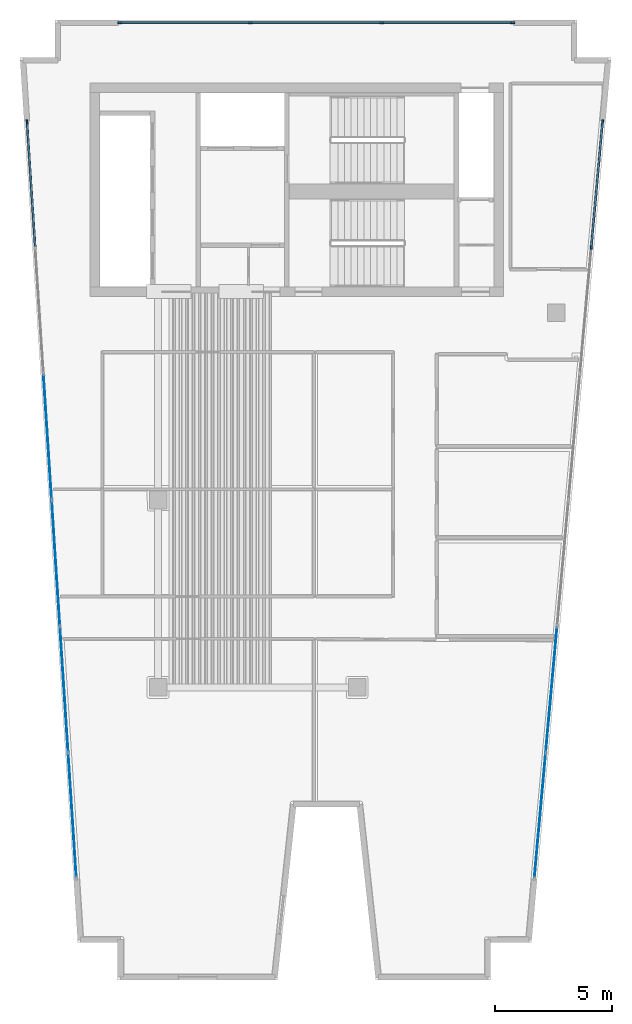
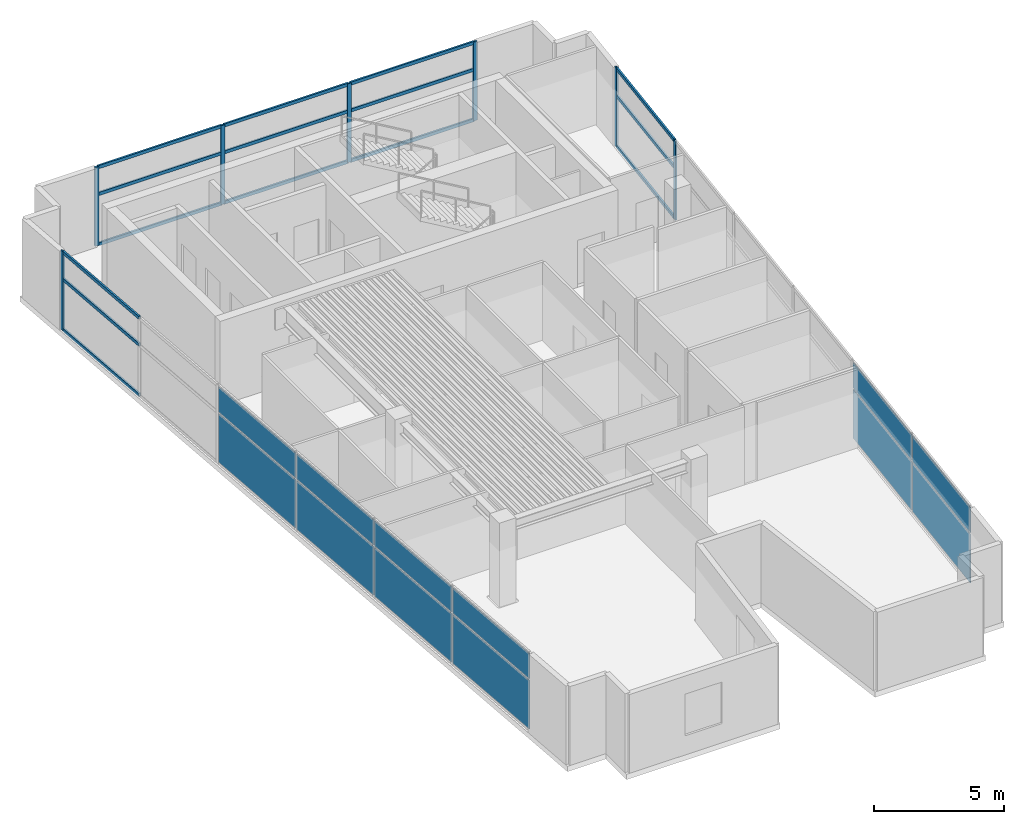
# One storey, part 2 of 7: 22 members, 12 plates, 3 elements without a shape of their own.
"""IFC4 building model written with IfcOpenShell, lengths in metres."""

from ifc_helpers import new_model, si_unit, direction, frame, origin, origin_2d, place, context, subcontext, project, spatial, rectangle, extrude, material, layer, layer_set, material_profile, profile_set, type_object, element, aggregate, save


model = new_model("IFC4")

# Units and contexts
model_context = context("Model", 3, precision=1e-05, world=origin(), true_north=direction((0.0, 1.0)))
body_context = subcontext(model_context, "Body", "Model", "MODEL_VIEW")
ifc_project = project(units=[si_unit("LENGTHUNIT", "METRE"), si_unit("AREAUNIT", "SQUARE_METRE"), si_unit("VOLUMEUNIT", "CUBIC_METRE"), si_unit("PLANEANGLEUNIT", "RADIAN"), si_unit("MASSUNIT", "GRAM", prefix="KILO")], contexts=[model_context])

# Site, building, storey
site_placement = place(None, origin())
site = spatial("IfcSite", under=ifc_project, at=site_placement, CompositionType="ELEMENT")
building_placement = place(site_placement, origin())
building = spatial("IfcBuilding", under=site, at=building_placement, Name="Caeloran Harvest Quay", CompositionType="ELEMENT")
storey_placement = place(building_placement, frame((0.0, 0.0, 315.949951171875)))
storey = spatial("IfcBuildingStorey", under=building, at=storey_placement, Name="L76", CompositionType="ELEMENT", Elevation=315.949951171875)

# Curtain wall, member
ifc_material_1 = material(Name="Aluminium 6063-T6 and Low-E Glazing", Category="aluminium")
ifc_layer_1 = layer(ifc_material_1, 0.239990234375, Name="Aluminium 6063-T6 and Low-E Glazing")
ifc_layer_set_1 = layer_set([ifc_layer_1], Name="Aluminium 6063-T6 and Low-E Glazing")
curtain_wall_type = type_object("IfcCurtainWallType", Name="CW-SYS-CW-7", PredefinedType="USERDEFINED", material=ifc_layer_set_1)
curtain_wall_1_placement = place(storey_placement, origin())
curtain_wall_1 = element("IfcCurtainWall", 1, at=curtain_wall_1_placement, inside=storey, type_object=curtain_wall_type, Name="L76 Unitised Curtain Wall CW-7 Run 3", ObjectType="CURTAIN_WALL", PredefinedType="USERDEFINED")
ifc_material_2 = material(Name="Aluminium 6063-T6", Category="aluminium")
ifc_material_profile_1 = material_profile(ifc_material_2, rectangle(XDim=0.080078125, YDim=0.179931640625, at=origin_2d()), Name="CW-MULLION-180")
ifc_profile_set_1 = profile_set([ifc_material_profile_1], Name="Aluminium 6063-T6")
member_type_1 = type_object("IfcMemberType", Name="CW-MULLION-180", PredefinedType="MULLION", material=ifc_profile_set_1)
member_1_placement = place(storey_placement, frame((2.904541015625, 39.1455078125, 0.0), z_axis=(0.0, 0.0, 1.0), x_axis=(-0.997874401106, -0.065166552901, 0.0)))
member_1 = element("IfcMember", 2, at=member_1_placement, type_object=member_type_1, Name="CW-7 mullion 7", PredefinedType="MULLION", context=body_context, shape_type="SweptSolid", body=[
    extrude(rectangle(XDim=0.080078125, YDim=0.179931640625, at=origin_2d()), origin(), (0.0, 0.0, 1.0), 3.699951171875),
])

# Curtain wall, members
curtain_wall_2_placement = place(storey_placement, origin())
curtain_wall_2 = element("IfcCurtainWall", 3, at=curtain_wall_2_placement, inside=storey, type_object=curtain_wall_type, Name="L76 Unitised Curtain Wall CW-7 Run 6", ObjectType="CURTAIN_WALL", PredefinedType="USERDEFINED")
member_2_placement = place(storey_placement, frame((6.860107421875, 43.3798828125, 0.0), z_axis=(0.0, 0.0, 1.0), x_axis=(0.0, 1.0, 0.0)))
member_2 = element("IfcMember", 4, at=member_2_placement, type_object=member_type_1, Name="CW-7 mullion 1", PredefinedType="MULLION", context=body_context, shape_type="SweptSolid", body=[
    extrude(rectangle(XDim=0.080078125, YDim=0.179931640625, at=origin_2d()), origin(), (0.0, 0.0, 1.0), 3.699951171875),
])
member_3_placement = place(storey_placement, frame((12.43994140625, 43.3798828125, 0.0), z_axis=(0.0, 0.0, 1.0), x_axis=(0.0, 1.0, 0.0)))
member_3 = element("IfcMember", 5, at=member_3_placement, type_object=member_type_1, Name="CW-7 mullion 2", PredefinedType="MULLION", context=body_context, shape_type="SweptSolid", body=[
    extrude(rectangle(XDim=0.080078125, YDim=0.179931640625, at=origin_2d()), origin(), (0.0, 0.0, 1.0), 3.699951171875),
])
member_4_placement = place(storey_placement, frame((18.06005859375, 43.3798828125, 0.0), z_axis=(0.0, 0.0, 1.0), x_axis=(0.0, 1.0, 0.0)))
member_4 = element("IfcMember", 6, at=member_4_placement, type_object=member_type_1, Name="CW-7 mullion 3", PredefinedType="MULLION", context=body_context, shape_type="SweptSolid", body=[
    extrude(rectangle(XDim=0.080078125, YDim=0.179931640625, at=origin_2d()), origin(), (0.0, 0.0, 1.0), 3.699951171875),
])
member_5_placement = place(storey_placement, frame((23.639892578125, 43.3798828125, 0.0), z_axis=(0.0, 0.0, 1.0), x_axis=(0.0, 1.0, 0.0)))
member_5 = element("IfcMember", 7, at=member_5_placement, type_object=member_type_1, Name="CW-7 mullion 4", PredefinedType="MULLION", context=body_context, shape_type="SweptSolid", body=[
    extrude(rectangle(XDim=0.080078125, YDim=0.179931640625, at=origin_2d()), origin(), (0.0, 0.0, 1.0), 3.699951171875),
])

curtain_wall_3_placement = place(storey_placement, origin())
curtain_wall_3 = element("IfcCurtainWall", 8, at=curtain_wall_3_placement, inside=storey, type_object=curtain_wall_type, Name="L76 Unitised Curtain Wall CW-7 Run 9", ObjectType="CURTAIN_WALL", PredefinedType="USERDEFINED")
member_6_placement = place(storey_placement, frame((27.4873046875, 39.150634765625, 0.0), z_axis=(0.0, 0.0, 1.0), x_axis=(0.995957918918, -0.089821065146, 0.0)))
member_6 = element("IfcMember", 9, at=member_6_placement, type_object=member_type_1, Name="CW-7 mullion 1", PredefinedType="MULLION", context=body_context, shape_type="SweptSolid", body=[
    extrude(rectangle(XDim=0.080078125, YDim=0.179931640625, at=origin_2d()), origin(), (0.0, 0.0, 1.0), 3.699951171875),
])
member_7_placement = place(storey_placement, frame((27.004150390625, 33.793701171875, 0.0), z_axis=(0.0, 0.0, 1.0), x_axis=(0.995957918918, -0.089821065146, 0.0)))
member_7 = element("IfcMember", 10, at=member_7_placement, type_object=member_type_1, Name="CW-7 mullion 2", PredefinedType="MULLION", context=body_context, shape_type="SweptSolid", body=[
    extrude(rectangle(XDim=0.080078125, YDim=0.179931640625, at=origin_2d()), origin(), (0.0, 0.0, 1.0), 3.699951171875),
])

# Member
ifc_material_profile_2 = material_profile(ifc_material_2, rectangle(XDim=0.080078125, YDim=0.14990234375, at=origin_2d()), Name="CW-TRANSOM-150")
ifc_profile_set_2 = profile_set([ifc_material_profile_2], Name="Aluminium 6063-T6")
member_type_2 = type_object("IfcMemberType", Name="CW-TRANSOM-150", PredefinedType="USERDEFINED", material=ifc_profile_set_2)
member_8_placement = place(storey_placement, frame((3.251708984375, 33.830322265625, 0.0400390625), z_axis=(-0.065161110765, 0.997874756492, 0.0), x_axis=(-0.997874756492, -0.065161110765, 0.0)))
member_8 = element("IfcMember", 11, at=member_8_placement, type_object=member_type_2, Name="CW-7 transom 6.1", ObjectType="TRANSOM", PredefinedType="USERDEFINED", context=body_context, shape_type="SweptSolid", body=[
    extrude(rectangle(XDim=0.080078125, YDim=0.14990234375, at=origin_2d()), origin(), (0.0, 0.0, 1.0), 5.28662109375),
])

member_9_placement = place(storey_placement, frame((3.251708984375, 33.830322265625, 2.400146484375), z_axis=(-0.065161110765, 0.997874756492, 0.0), x_axis=(-0.997874756492, -0.065161110765, 0.0)))
member_9 = element("IfcMember", 12, at=member_9_placement, type_object=member_type_2, Name="CW-7 transom 6.2", ObjectType="TRANSOM", PredefinedType="USERDEFINED", context=body_context, shape_type="SweptSolid", body=[
    extrude(rectangle(XDim=0.080078125, YDim=0.14990234375, at=origin_2d()), origin(), (0.0, 0.0, 1.0), 5.28662109375),
])

member_10_placement = place(storey_placement, frame((3.251708984375, 33.830322265625, 3.66015625), z_axis=(-0.065161110765, 0.997874756492, 0.0), x_axis=(-0.997874756492, -0.065161110765, 0.0)))
member_10 = element("IfcMember", 13, at=member_10_placement, type_object=member_type_2, Name="CW-7 transom 6.3", ObjectType="TRANSOM", PredefinedType="USERDEFINED", context=body_context, shape_type="SweptSolid", body=[
    extrude(rectangle(XDim=0.080078125, YDim=0.14990234375, at=origin_2d()), origin(), (0.0, 0.0, 1.0), 5.28662109375),
])

member_11_placement = place(storey_placement, frame((6.89990234375, 43.3798828125, 0.0400390625), z_axis=(1.0, 0.0, 0.0), x_axis=(0.0, 1.0, 0.0)))
member_11 = element("IfcMember", 14, at=member_11_placement, type_object=member_type_2, Name="CW-7 transom 1.1", ObjectType="TRANSOM", PredefinedType="USERDEFINED", context=body_context, shape_type="SweptSolid", body=[
    extrude(rectangle(XDim=0.080078125, YDim=0.14990234375, at=origin_2d()), origin(), (0.0, 0.0, 1.0), 5.5),
])

member_12_placement = place(storey_placement, frame((6.89990234375, 43.3798828125, 2.400146484375), z_axis=(1.0, 0.0, 0.0), x_axis=(0.0, 1.0, 0.0)))
member_12 = element("IfcMember", 15, at=member_12_placement, type_object=member_type_2, Name="CW-7 transom 1.2", ObjectType="TRANSOM", PredefinedType="USERDEFINED", context=body_context, shape_type="SweptSolid", body=[
    extrude(rectangle(XDim=0.080078125, YDim=0.14990234375, at=origin_2d()), origin(), (0.0, 0.0, 1.0), 5.5),
])

member_13_placement = place(storey_placement, frame((6.89990234375, 43.3798828125, 3.66015625), z_axis=(1.0, 0.0, 0.0), x_axis=(0.0, 1.0, 0.0)))
member_13 = element("IfcMember", 16, at=member_13_placement, type_object=member_type_2, Name="CW-7 transom 1.3", ObjectType="TRANSOM", PredefinedType="USERDEFINED", context=body_context, shape_type="SweptSolid", body=[
    extrude(rectangle(XDim=0.080078125, YDim=0.14990234375, at=origin_2d()), origin(), (0.0, 0.0, 1.0), 5.5),
])

member_14_placement = place(storey_placement, frame((12.47998046875, 43.3798828125, 0.0400390625), z_axis=(1.0, 0.0, 0.0), x_axis=(0.0, 1.0, 0.0)))
member_14 = element("IfcMember", 17, at=member_14_placement, type_object=member_type_2, Name="CW-7 transom 2.1", ObjectType="TRANSOM", PredefinedType="USERDEFINED", context=body_context, shape_type="SweptSolid", body=[
    extrude(rectangle(XDim=0.080078125, YDim=0.14990234375, at=origin_2d()), origin(), (0.0, 0.0, 1.0), 5.5400390625),
])

member_15_placement = place(storey_placement, frame((12.47998046875, 43.3798828125, 2.400146484375), z_axis=(1.0, 0.0, 0.0), x_axis=(0.0, 1.0, 0.0)))
member_15 = element("IfcMember", 18, at=member_15_placement, type_object=member_type_2, Name="CW-7 transom 2.2", ObjectType="TRANSOM", PredefinedType="USERDEFINED", context=body_context, shape_type="SweptSolid", body=[
    extrude(rectangle(XDim=0.080078125, YDim=0.14990234375, at=origin_2d()), origin(), (0.0, 0.0, 1.0), 5.5400390625),
])

member_16_placement = place(storey_placement, frame((12.47998046875, 43.3798828125, 3.66015625), z_axis=(1.0, 0.0, 0.0), x_axis=(0.0, 1.0, 0.0)))
member_16 = element("IfcMember", 19, at=member_16_placement, type_object=member_type_2, Name="CW-7 transom 2.3", ObjectType="TRANSOM", PredefinedType="USERDEFINED", context=body_context, shape_type="SweptSolid", body=[
    extrude(rectangle(XDim=0.080078125, YDim=0.14990234375, at=origin_2d()), origin(), (0.0, 0.0, 1.0), 5.5400390625),
])

member_17_placement = place(storey_placement, frame((18.10009765625, 43.3798828125, 0.0400390625), z_axis=(1.0, 0.0, 0.0), x_axis=(0.0, 1.0, 0.0)))
member_17 = element("IfcMember", 20, at=member_17_placement, type_object=member_type_2, Name="CW-7 transom 3.1", ObjectType="TRANSOM", PredefinedType="USERDEFINED", context=body_context, shape_type="SweptSolid", body=[
    extrude(rectangle(XDim=0.080078125, YDim=0.14990234375, at=origin_2d()), origin(), (0.0, 0.0, 1.0), 5.5),
])

member_18_placement = place(storey_placement, frame((18.10009765625, 43.3798828125, 2.400146484375), z_axis=(1.0, 0.0, 0.0), x_axis=(0.0, 1.0, 0.0)))
member_18 = element("IfcMember", 21, at=member_18_placement, type_object=member_type_2, Name="CW-7 transom 3.2", ObjectType="TRANSOM", PredefinedType="USERDEFINED", context=body_context, shape_type="SweptSolid", body=[
    extrude(rectangle(XDim=0.080078125, YDim=0.14990234375, at=origin_2d()), origin(), (0.0, 0.0, 1.0), 5.5),
])

member_19_placement = place(storey_placement, frame((18.10009765625, 43.3798828125, 3.66015625), z_axis=(1.0, 0.0, 0.0), x_axis=(0.0, 1.0, 0.0)))
member_19 = element("IfcMember", 22, at=member_19_placement, type_object=member_type_2, Name="CW-7 transom 3.3", ObjectType="TRANSOM", PredefinedType="USERDEFINED", context=body_context, shape_type="SweptSolid", body=[
    extrude(rectangle(XDim=0.080078125, YDim=0.14990234375, at=origin_2d()), origin(), (0.0, 0.0, 1.0), 5.5),
])

aggregate(curtain_wall_2, [member_2, member_3, member_4, member_5, member_11, member_12, member_13, member_14, member_15, member_16, member_17, member_18, member_19])

member_20_placement = place(storey_placement, frame((27.483642578125, 39.11083984375, 0.0400390625), z_axis=(-0.089800407778, -0.995959781699, 0.0), x_axis=(0.995959781699, -0.089800407778, 0.0)))
member_20 = element("IfcMember", 23, at=member_20_placement, type_object=member_type_2, Name="CW-7 transom 1.1", ObjectType="TRANSOM", PredefinedType="USERDEFINED", context=body_context, shape_type="SweptSolid", body=[
    extrude(rectangle(XDim=0.080078125, YDim=0.14990234375, at=origin_2d()), origin(), (0.0, 0.0, 1.0), 5.298828125),
])

member_21_placement = place(storey_placement, frame((27.483642578125, 39.11083984375, 2.400146484375), z_axis=(-0.089800407778, -0.995959781699, 0.0), x_axis=(0.995959781699, -0.089800407778, 0.0)))
member_21 = element("IfcMember", 24, at=member_21_placement, type_object=member_type_2, Name="CW-7 transom 1.2", ObjectType="TRANSOM", PredefinedType="USERDEFINED", context=body_context, shape_type="SweptSolid", body=[
    extrude(rectangle(XDim=0.080078125, YDim=0.14990234375, at=origin_2d()), origin(), (0.0, 0.0, 1.0), 5.298828125),
])

member_22_placement = place(storey_placement, frame((27.483642578125, 39.11083984375, 3.66015625), z_axis=(-0.089800407778, -0.995959781699, 0.0), x_axis=(0.995959781699, -0.089800407778, 0.0)))
member_22 = element("IfcMember", 25, at=member_22_placement, type_object=member_type_2, Name="CW-7 transom 1.3", ObjectType="TRANSOM", PredefinedType="USERDEFINED", context=body_context, shape_type="SweptSolid", body=[
    extrude(rectangle(XDim=0.080078125, YDim=0.14990234375, at=origin_2d()), origin(), (0.0, 0.0, 1.0), 5.298828125),
])

# Plate
ifc_material_3 = material(Name="Low-E Double Glazed Vision Glass Unit", Category="glass")
ifc_layer_2 = layer(ifc_material_3, 0.035888671875, Name="Low-E Double Glazed Vision Glass Unit")
ifc_layer_set_2 = layer_set([ifc_layer_2], Name="Low-E Double Glazed Vision Glass Unit")
plate_type = type_object("IfcPlateType", Name="CW-VISION-PANEL", PredefinedType="CURTAIN_PANEL", material=ifc_layer_set_2)
plate_1_placement = place(storey_placement, frame((4.838623046875, 9.531982421875, 0.080078125), z_axis=(0.0, 0.0, 1.0), x_axis=(-0.065166552901, 0.997874401106, 0.0)))
plate_1 = element("IfcPlate", 26, at=plate_1_placement, type_object=plate_type, Name="CW-7 panel 1.1", PredefinedType="CURTAIN_PANEL", context=body_context, shape_type="SweptSolid", body=[
    extrude(rectangle(XDim=5.28662109375, YDim=0.035888671875, at=origin_2d()), origin(), (0.0, 0.0, 1.0), 2.280029296875),
])

plate_2_placement = place(storey_placement, frame((4.838623046875, 9.531982421875, 2.43994140625), z_axis=(0.0, 0.0, 1.0), x_axis=(-0.065166552901, 0.997874401106, 0.0)))
plate_2 = element("IfcPlate", 27, at=plate_2_placement, type_object=plate_type, Name="CW-7 panel 1.2", PredefinedType="CURTAIN_PANEL", context=body_context, shape_type="SweptSolid", body=[
    extrude(rectangle(XDim=5.28662109375, YDim=0.035888671875, at=origin_2d()), origin(), (0.0, 0.0, 1.0), 1.179931640625),
])

plate_3_placement = place(storey_placement, frame((4.487548828125, 14.9072265625, 0.080078125), z_axis=(0.0, 0.0, 1.0), x_axis=(-0.065166552901, 0.997874401106, 0.0)))
plate_3 = element("IfcPlate", 28, at=plate_3_placement, type_object=plate_type, Name="CW-7 panel 2.1", PredefinedType="CURTAIN_PANEL", context=body_context, shape_type="SweptSolid", body=[
    extrude(rectangle(XDim=5.32666015625, YDim=0.035888671875, at=origin_2d()), origin(), (0.0, 0.0, 1.0), 2.280029296875),
])

plate_4_placement = place(storey_placement, frame((4.487548828125, 14.9072265625, 2.43994140625), z_axis=(0.0, 0.0, 1.0), x_axis=(-0.065166552901, 0.997874401106, 0.0)))
plate_4 = element("IfcPlate", 29, at=plate_4_placement, type_object=plate_type, Name="CW-7 panel 2.2", PredefinedType="CURTAIN_PANEL", context=body_context, shape_type="SweptSolid", body=[
    extrude(rectangle(XDim=5.32666015625, YDim=0.035888671875, at=origin_2d()), origin(), (0.0, 0.0, 1.0), 1.179931640625),
])

plate_5_placement = place(storey_placement, frame((4.13525390625, 20.302490234375, 0.080078125), z_axis=(0.0, 0.0, 1.0), x_axis=(-0.065166552901, 0.997874401106, 0.0)))
plate_5 = element("IfcPlate", 30, at=plate_5_placement, type_object=plate_type, Name="CW-7 panel 3.1", PredefinedType="CURTAIN_PANEL", context=body_context, shape_type="SweptSolid", body=[
    extrude(rectangle(XDim=5.32666015625, YDim=0.035888671875, at=origin_2d()), origin(), (0.0, 0.0, 1.0), 2.280029296875),
])

plate_6_placement = place(storey_placement, frame((4.13525390625, 20.302490234375, 2.43994140625), z_axis=(0.0, 0.0, 1.0), x_axis=(-0.065166552901, 0.997874401106, 0.0)))
plate_6 = element("IfcPlate", 31, at=plate_6_placement, type_object=plate_type, Name="CW-7 panel 3.2", PredefinedType="CURTAIN_PANEL", context=body_context, shape_type="SweptSolid", body=[
    extrude(rectangle(XDim=5.32666015625, YDim=0.035888671875, at=origin_2d()), origin(), (0.0, 0.0, 1.0), 1.179931640625),
])

plate_7_placement = place(storey_placement, frame((3.78271484375, 25.697509765625, 0.080078125), z_axis=(0.0, 0.0, 1.0), x_axis=(-0.065166552901, 0.997874401106, 0.0)))
plate_7 = element("IfcPlate", 32, at=plate_7_placement, type_object=plate_type, Name="CW-7 panel 4.1", PredefinedType="CURTAIN_PANEL", context=body_context, shape_type="SweptSolid", body=[
    extrude(rectangle(XDim=5.32666015625, YDim=0.035888671875, at=origin_2d()), origin(), (0.0, 0.0, 1.0), 2.280029296875),
])

plate_8_placement = place(storey_placement, frame((3.78271484375, 25.697509765625, 2.43994140625), z_axis=(0.0, 0.0, 1.0), x_axis=(-0.065166552901, 0.997874401106, 0.0)))
plate_8 = element("IfcPlate", 33, at=plate_8_placement, type_object=plate_type, Name="CW-7 panel 4.2", PredefinedType="CURTAIN_PANEL", context=body_context, shape_type="SweptSolid", body=[
    extrude(rectangle(XDim=5.32666015625, YDim=0.035888671875, at=origin_2d()), origin(), (0.0, 0.0, 1.0), 1.179931640625),
])

aggregate(curtain_wall_1, [member_1, plate_1, plate_2, plate_3, plate_4, plate_5, plate_6, plate_7, plate_8, member_8, member_9, member_10])

plate_9_placement = place(storey_placement, frame((25.30078125, 14.90478515625, 0.080078125), z_axis=(0.0, 0.0, 1.0), x_axis=(-0.089821065146, -0.995957918918, 0.0)))
plate_9 = element("IfcPlate", 34, at=plate_9_placement, type_object=plate_type, Name="CW-7 panel 5.1", PredefinedType="CURTAIN_PANEL", context=body_context, shape_type="SweptSolid", body=[
    extrude(rectangle(XDim=5.338623046875, YDim=0.035888671875, at=origin_2d()), origin(), (0.0, 0.0, 1.0), 2.280029296875),
])

plate_10_placement = place(storey_placement, frame((25.30078125, 14.90478515625, 2.43994140625), z_axis=(0.0, 0.0, 1.0), x_axis=(-0.089821065146, -0.995957918918, 0.0)))
plate_10 = element("IfcPlate", 35, at=plate_10_placement, type_object=plate_type, Name="CW-7 panel 5.2", PredefinedType="CURTAIN_PANEL", context=body_context, shape_type="SweptSolid", body=[
    extrude(rectangle(XDim=5.338623046875, YDim=0.035888671875, at=origin_2d()), origin(), (0.0, 0.0, 1.0), 1.179931640625),
])

plate_11_placement = place(storey_placement, frame((24.815673828125, 9.52783203125, 0.080078125), z_axis=(0.0, 0.0, 1.0), x_axis=(-0.089821065146, -0.995957918918, 0.0)))
plate_11 = element("IfcPlate", 36, at=plate_11_placement, type_object=plate_type, Name="CW-7 panel 6.1", PredefinedType="CURTAIN_PANEL", context=body_context, shape_type="SweptSolid", body=[
    extrude(rectangle(XDim=5.298828125, YDim=0.035888671875, at=origin_2d()), origin(), (0.0, 0.0, 1.0), 2.280029296875),
])

plate_12_placement = place(storey_placement, frame((24.815673828125, 9.52783203125, 2.43994140625), z_axis=(0.0, 0.0, 1.0), x_axis=(-0.089821065146, -0.995957918918, 0.0)))
plate_12 = element("IfcPlate", 37, at=plate_12_placement, type_object=plate_type, Name="CW-7 panel 6.2", PredefinedType="CURTAIN_PANEL", context=body_context, shape_type="SweptSolid", body=[
    extrude(rectangle(XDim=5.298828125, YDim=0.035888671875, at=origin_2d()), origin(), (0.0, 0.0, 1.0), 1.179931640625),
])

aggregate(curtain_wall_3, [member_6, member_7, member_20, member_21, member_22, plate_9, plate_10, plate_11, plate_12])

save(model, "model.ifc")
